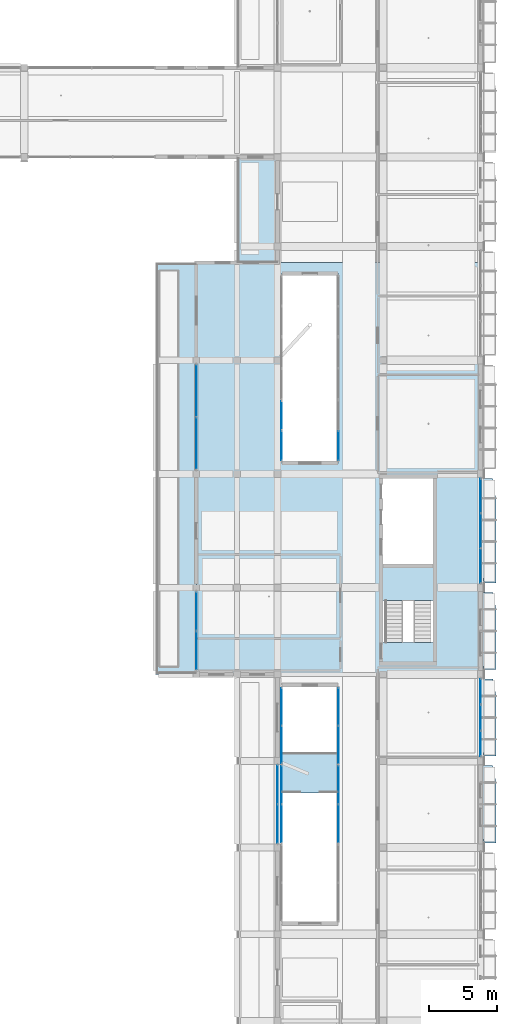
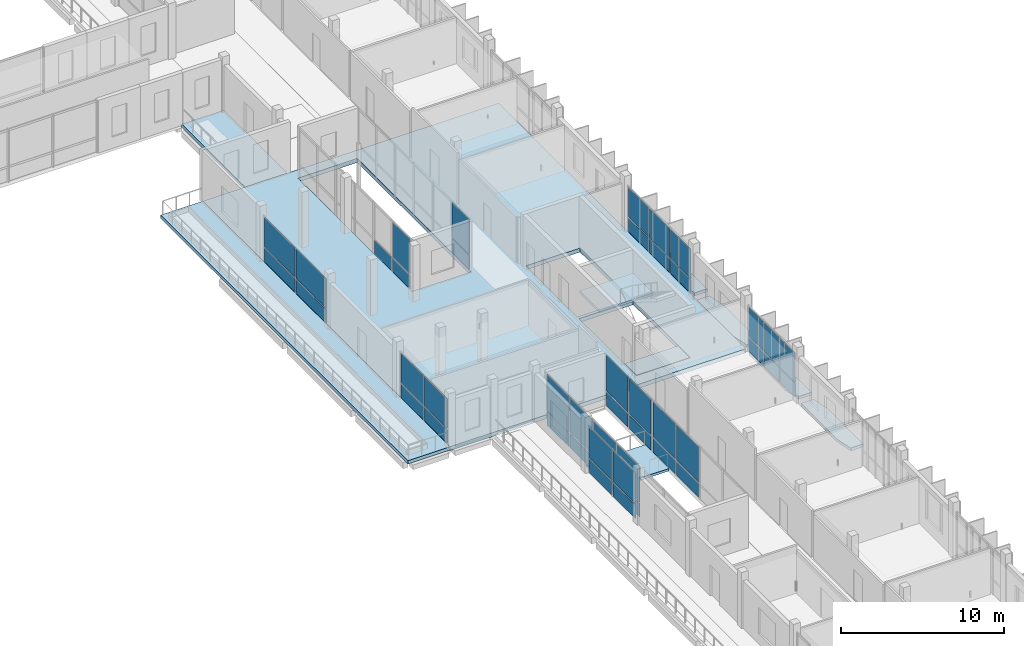
# One storey, part 35 of 85: 45 plates, 10 slabs, 12 elements without a shape of their own.
"""IFC4 building model written with IfcOpenShell, lengths in metres."""

from ifc_helpers import new_model, si_unit, derived_unit, direction, frame, origin, origin_2d, place, context, subcontext, project, spatial, polyline, rectangle, outline, extrude, material, layer, layer_set, type_object, element, aggregate, save


model = new_model("IFC4")

# Units and contexts
model_context = context("Model", 3, precision=1e-05, world=origin(), true_north=direction((0.0, 1.0)))
body_context = subcontext(model_context, "Body", "Model", "MODEL_VIEW")
ifc_project = project(units=[si_unit("LENGTHUNIT", "METRE"), si_unit("AREAUNIT", "SQUARE_METRE"), si_unit("VOLUMEUNIT", "CUBIC_METRE"), si_unit("PLANEANGLEUNIT", "RADIAN"), si_unit("MASSUNIT", "GRAM", prefix="KILO"), derived_unit("THERMALTRANSMITTANCEUNIT", [(si_unit("POWERUNIT", "WATT"), 1), (si_unit("LENGTHUNIT", "METRE"), -2), (si_unit("THERMODYNAMICTEMPERATUREUNIT", "KELVIN"), -1)])], contexts=[model_context])

# Site, building, storey
site_placement = place(None, origin())
site = spatial("IfcSite", under=ifc_project, at=site_placement, CompositionType="ELEMENT")
building_placement = place(site_placement, origin())
building = spatial("IfcBuilding", under=site, at=building_placement, Name="Braskholm Square Health Centre", CompositionType="ELEMENT")
storey_placement = place(building_placement, frame((0.0, 0.0, 9.300048828125)))
storey = spatial("IfcBuildingStorey", under=building, at=storey_placement, Name="L03", CompositionType="ELEMENT", Elevation=9.300048828125)

# Curtain wall, plates
ifc_material_1 = material(Name="Low-E triple insulating glass (VLT 0.64)", Category="glass")
curtain_wall_type_1 = type_object("IfcCurtainWallType", Name="UnitisedCurtainWall6200x3650", PredefinedType="NOTDEFINED", material=ifc_material_1)
curtain_wall_1_placement = place(storey_placement, origin())
curtain_wall_1 = element("IfcCurtainWall", 1, at=curtain_wall_1_placement, inside=storey, type_object=curtain_wall_type_1, Name="East Outer unitised curtain wall CW-L03-0063", PredefinedType="NOTDEFINED")
ifc_material_2 = material(Name="Architectural bronze anodised aluminium", Category="aluminium")
plate_type_1 = type_object("IfcPlateType", Name="CurtainPanelSpandrel1850x1020", PredefinedType="CURTAIN_PANEL", material=ifc_material_2)
plate_1_placement = place(storey_placement, frame((163.800048828125, 43.860107421875, 0.050048828125), z_axis=(0.0, 0.0, 1.0), x_axis=(0.0, 1.0, 0.0)))
plate_1 = element("IfcPlate", 2, at=plate_1_placement, type_object=plate_type_1, Name="CW-L03-0063 spandrel panel 1", PredefinedType="CURTAIN_PANEL", context=body_context, shape_type="SweptSolid", body=[
    extrude(rectangle(XDim=1.823486328125, YDim=0.035888671875, at=origin_2d()), origin(), (0.0, 0.0, 1.0), 1.02001953125),
])
plate_2_placement = place(storey_placement, frame((163.800048828125, 45.800048828125, 0.050048828125), z_axis=(0.0, 0.0, 1.0), x_axis=(0.0, 1.0, 0.0)))
plate_2 = element("IfcPlate", 3, at=plate_2_placement, type_object=plate_type_1, Name="CW-L03-0063 spandrel panel 2", PredefinedType="CURTAIN_PANEL", context=body_context, shape_type="SweptSolid", body=[
    extrude(rectangle(XDim=1.823486328125, YDim=0.035888671875, at=origin_2d()), origin(), (0.0, 0.0, 1.0), 1.02001953125),
])
plate_3_placement = place(storey_placement, frame((163.800048828125, 47.739990234375, 0.050048828125), z_axis=(0.0, 0.0, 1.0), x_axis=(0.0, 1.0, 0.0)))
plate_3 = element("IfcPlate", 4, at=plate_3_placement, type_object=plate_type_1, Name="CW-L03-0063 spandrel panel 3", PredefinedType="CURTAIN_PANEL", context=body_context, shape_type="SweptSolid", body=[
    extrude(rectangle(XDim=1.823486328125, YDim=0.035888671875, at=origin_2d()), origin(), (0.0, 0.0, 1.0), 1.02001953125),
])

curtain_wall_type_2 = type_object("IfcCurtainWallType", Name="UnitisedCurtainWall4800x3800", PredefinedType="NOTDEFINED", material=ifc_material_1)
curtain_wall_2_placement = place(storey_placement, origin())
curtain_wall_2 = element("IfcCurtainWall", 5, at=curtain_wall_2_placement, inside=storey, type_object=curtain_wall_type_2, Name="EC2 Court W unitised curtain wall CW-L03-0363", PredefinedType="NOTDEFINED")
plate_type_2 = type_object("IfcPlateType", Name="CurtainPanelSpandrel2150x1020", PredefinedType="CURTAIN_PANEL", material=ifc_material_2)
plate_4_placement = place(storey_placement, frame((149.10009765625, 65.884033203125, 0.050048828125), z_axis=(0.0, 0.0, 1.0), x_axis=(0.0, 1.0, 0.0)))
plate_4 = element("IfcPlate", 6, at=plate_4_placement, type_object=plate_type_2, Name="CW-L03-0363 spandrel panel 1", PredefinedType="CURTAIN_PANEL", context=body_context, shape_type="SweptSolid", body=[
    extrude(rectangle(XDim=2.125244140625, YDim=0.035888671875, at=origin_2d()), origin(), (0.0, 0.0, 1.0), 1.02001953125),
])
plate_5_placement = place(storey_placement, frame((149.10009765625, 68.117919921875, 0.050048828125), z_axis=(0.0, 0.0, 1.0), x_axis=(0.0, 1.0, 0.0)))
plate_5 = element("IfcPlate", 7, at=plate_5_placement, type_object=plate_type_2, Name="CW-L03-0363 spandrel panel 2", PredefinedType="CURTAIN_PANEL", context=body_context, shape_type="SweptSolid", body=[
    extrude(rectangle(XDim=2.125244140625, YDim=0.035888671875, at=origin_2d()), origin(), (0.0, 0.0, 1.0), 1.02001953125),
])

# Curtain wall, plate
curtain_wall_3_placement = place(storey_placement, origin())
curtain_wall_3 = element("IfcCurtainWall", 8, at=curtain_wall_3_placement, inside=storey, type_object=curtain_wall_type_2, Name="EC2 Court E unitised curtain wall CW-L03-0364", PredefinedType="NOTDEFINED")
plate_6_placement = place(storey_placement, frame((153.300048828125, 65.884033203125, 0.050048828125), z_axis=(0.0, 0.0, 1.0), x_axis=(0.0, -1.0, 0.0)))
plate_6 = element("IfcPlate", 9, at=plate_6_placement, type_object=plate_type_2, Name="CW-L03-0364 spandrel panel 2", PredefinedType="CURTAIN_PANEL", context=body_context, shape_type="SweptSolid", body=[
    extrude(rectangle(XDim=2.125244140625, YDim=0.035888671875, at=origin_2d()), origin(), (0.0, 0.0, 1.0), 1.02001953125),
])

# Curtain wall, plates
curtain_wall_4_placement = place(storey_placement, origin())
curtain_wall_4 = element("IfcCurtainWall", 10, at=curtain_wall_4_placement, inside=storey, type_object=curtain_wall_type_1, Name="East Outer unitised curtain wall CW-L03-0064", PredefinedType="NOTDEFINED")
plate_type_3 = type_object("IfcPlateType", Name="CurtainPanelSpandrel2750x1020", PredefinedType="CURTAIN_PANEL", material=ifc_material_2)
plate_7_placement = place(storey_placement, frame((163.800048828125, 56.993408203125, 0.050048828125), z_axis=(0.0, 0.0, 1.0), x_axis=(0.0, 1.0, 0.0)))
plate_7 = element("IfcPlate", 11, at=plate_7_placement, type_object=plate_type_3, Name="CW-L03-0064 spandrel panel 1", PredefinedType="CURTAIN_PANEL", context=body_context, shape_type="SweptSolid", body=[
    extrude(rectangle(XDim=2.4501953125, YDim=0.035888671875, at=origin_2d()), origin(), (0.0, 0.0, 1.0), 1.02001953125),
])
plate_8_placement = place(storey_placement, frame((163.800048828125, 59.60009765625, 0.050048828125), z_axis=(0.0, 0.0, 1.0), x_axis=(0.0, 1.0, 0.0)))
plate_8 = element("IfcPlate", 12, at=plate_8_placement, type_object=plate_type_3, Name="CW-L03-0064 spandrel panel 2", PredefinedType="CURTAIN_PANEL", context=body_context, shape_type="SweptSolid", body=[
    extrude(rectangle(XDim=2.4501953125, YDim=0.035888671875, at=origin_2d()), origin(), (0.0, 0.0, 1.0), 1.02001953125),
])
plate_9_placement = place(storey_placement, frame((163.800048828125, 62.206787109375, 0.050048828125), z_axis=(0.0, 0.0, 1.0), x_axis=(0.0, 1.0, 0.0)))
plate_9 = element("IfcPlate", 13, at=plate_9_placement, type_object=plate_type_3, Name="CW-L03-0064 spandrel panel 3", PredefinedType="CURTAIN_PANEL", context=body_context, shape_type="SweptSolid", body=[
    extrude(rectangle(XDim=2.4501953125, YDim=0.035888671875, at=origin_2d()), origin(), (0.0, 0.0, 1.0), 1.02001953125),
])

curtain_wall_5_placement = place(storey_placement, origin())
curtain_wall_5 = element("IfcCurtainWall", 14, at=curtain_wall_5_placement, inside=storey, type_object=curtain_wall_type_1, Name="East Valley unitised curtain wall CW-L03-0124", PredefinedType="NOTDEFINED")
plate_10_placement = place(storey_placement, frame((148.800048828125, 40.852294921875, 0.050048828125), z_axis=(0.0, 0.0, 1.0), x_axis=(0.0, -1.0, 0.0)))
plate_10 = element("IfcPlate", 15, at=plate_10_placement, type_object=plate_type_3, Name="CW-L03-0124 spandrel panel 1", PredefinedType="CURTAIN_PANEL", context=body_context, shape_type="SweptSolid", body=[
    extrude(rectangle(XDim=2.763671875, YDim=0.035888671875, at=origin_2d()), origin(), (0.0, 0.0, 1.0), 1.02001953125),
])
plate_11_placement = place(storey_placement, frame((148.800048828125, 37.947509765625, 0.050048828125), z_axis=(0.0, 0.0, 1.0), x_axis=(0.0, -1.0, 0.0)))
plate_11 = element("IfcPlate", 16, at=plate_11_placement, type_object=plate_type_3, Name="CW-L03-0124 spandrel panel 2", PredefinedType="CURTAIN_PANEL", context=body_context, shape_type="SweptSolid", body=[
    extrude(rectangle(XDim=2.763671875, YDim=0.035888671875, at=origin_2d()), origin(), (0.0, 0.0, 1.0), 1.02001953125),
])

curtain_wall_6_placement = place(storey_placement, origin())
curtain_wall_6 = element("IfcCurtainWall", 17, at=curtain_wall_6_placement, inside=storey, type_object=curtain_wall_type_1, Name="East Valley unitised curtain wall CW-L03-0125", PredefinedType="NOTDEFINED")
plate_12_placement = place(storey_placement, frame((142.800048828125, 53.65234375, 0.050048828125), z_axis=(0.0, 0.0, 1.0), x_axis=(0.0, -1.0, 0.0)))
plate_12 = element("IfcPlate", 18, at=plate_12_placement, type_object=plate_type_3, Name="CW-L03-0125 spandrel panel 1", PredefinedType="CURTAIN_PANEL", context=body_context, shape_type="SweptSolid", body=[
    extrude(rectangle(XDim=2.763671875, YDim=0.035888671875, at=origin_2d()), origin(), (0.0, 0.0, 1.0), 1.02001953125),
])
plate_13_placement = place(storey_placement, frame((142.800048828125, 50.74755859375, 0.050048828125), z_axis=(0.0, 0.0, 1.0), x_axis=(0.0, -1.0, 0.0)))
plate_13 = element("IfcPlate", 19, at=plate_13_placement, type_object=plate_type_3, Name="CW-L03-0125 spandrel panel 2", PredefinedType="CURTAIN_PANEL", context=body_context, shape_type="SweptSolid", body=[
    extrude(rectangle(XDim=2.763671875, YDim=0.035888671875, at=origin_2d()), origin(), (0.0, 0.0, 1.0), 1.02001953125),
])

curtain_wall_type_3 = type_object("IfcCurtainWallType", Name="UnitisedCurtainWall6200x4100", PredefinedType="NOTDEFINED", material=ifc_material_1)
curtain_wall_7_placement = place(storey_placement, origin())
curtain_wall_7 = element("IfcCurtainWall", 20, at=curtain_wall_7_placement, inside=storey, type_object=curtain_wall_type_3, Name="EC1 Court W unitised curtain wall CW-L03-0335", PredefinedType="NOTDEFINED")
plate_14_placement = place(storey_placement, frame((149.10009765625, 37.95361328125, 0.050048828125), z_axis=(0.0, 0.0, 1.0), x_axis=(0.0, 1.0, 0.0)))
plate_14 = element("IfcPlate", 21, at=plate_14_placement, type_object=plate_type_3, Name="CW-L03-0335 spandrel panel 1", PredefinedType="CURTAIN_PANEL", context=body_context, shape_type="SweptSolid", body=[
    extrude(rectangle(XDim=2.752197265625, YDim=0.035888671875, at=origin_2d()), origin(), (0.0, 0.0, 1.0), 1.02001953125),
])
plate_15_placement = place(storey_placement, frame((149.10009765625, 40.846435546875, 0.050048828125), z_axis=(0.0, 0.0, 1.0), x_axis=(0.0, 1.0, 0.0)))
plate_15 = element("IfcPlate", 22, at=plate_15_placement, type_object=plate_type_3, Name="CW-L03-0335 spandrel panel 2", PredefinedType="CURTAIN_PANEL", context=body_context, shape_type="SweptSolid", body=[
    extrude(rectangle(XDim=2.752197265625, YDim=0.035888671875, at=origin_2d()), origin(), (0.0, 0.0, 1.0), 1.02001953125),
])

curtain_wall_8_placement = place(storey_placement, origin())
curtain_wall_8 = element("IfcCurtainWall", 23, at=curtain_wall_8_placement, inside=storey, type_object=curtain_wall_type_3, Name="EC1 Court E unitised curtain wall CW-L03-0336", PredefinedType="NOTDEFINED")
plate_16_placement = place(storey_placement, frame((153.300048828125, 40.846435546875, 0.050048828125), z_axis=(0.0, 0.0, 1.0), x_axis=(0.0, -1.0, 0.0)))
plate_16 = element("IfcPlate", 24, at=plate_16_placement, type_object=plate_type_3, Name="CW-L03-0336 spandrel panel 1", PredefinedType="CURTAIN_PANEL", context=body_context, shape_type="SweptSolid", body=[
    extrude(rectangle(XDim=2.752197265625, YDim=0.035888671875, at=origin_2d()), origin(), (0.0, 0.0, 1.0), 1.02001953125),
])
plate_17_placement = place(storey_placement, frame((153.300048828125, 37.95361328125, 0.050048828125), z_axis=(0.0, 0.0, 1.0), x_axis=(0.0, -1.0, 0.0)))
plate_17 = element("IfcPlate", 25, at=plate_17_placement, type_object=plate_type_3, Name="CW-L03-0336 spandrel panel 2", PredefinedType="CURTAIN_PANEL", context=body_context, shape_type="SweptSolid", body=[
    extrude(rectangle(XDim=2.752197265625, YDim=0.035888671875, at=origin_2d()), origin(), (0.0, 0.0, 1.0), 1.02001953125),
])

curtain_wall_type_4 = type_object("IfcCurtainWallType", Name="UnitisedCurtainWall5400x4100", PredefinedType="NOTDEFINED", material=ifc_material_1)
curtain_wall_9_placement = place(storey_placement, origin())
curtain_wall_9 = element("IfcCurtainWall", 26, at=curtain_wall_9_placement, inside=storey, type_object=curtain_wall_type_4, Name="EC1 Court W unitised curtain wall CW-L03-0337", PredefinedType="NOTDEFINED")
plate_18_placement = place(storey_placement, frame((149.10009765625, 43.78564453125, 0.050048828125), z_axis=(0.0, 0.0, 1.0), x_axis=(0.0, 1.0, 0.0)))
plate_18 = element("IfcPlate", 27, at=plate_18_placement, type_object=plate_type_3, Name="CW-L03-0337 spandrel panel 1", PredefinedType="CURTAIN_PANEL", context=body_context, shape_type="SweptSolid", body=[
    extrude(rectangle(XDim=2.689208984375, YDim=0.035888671875, at=origin_2d()), origin(), (0.0, 0.0, 1.0), 1.02001953125),
])
plate_19_placement = place(storey_placement, frame((149.10009765625, 46.6123046875, 0.050048828125), z_axis=(0.0, 0.0, 1.0), x_axis=(0.0, 1.0, 0.0)))
plate_19 = element("IfcPlate", 28, at=plate_19_placement, type_object=plate_type_3, Name="CW-L03-0337 spandrel panel 2", PredefinedType="CURTAIN_PANEL", context=body_context, shape_type="SweptSolid", body=[
    extrude(rectangle(XDim=2.689208984375, YDim=0.035888671875, at=origin_2d()), origin(), (0.0, 0.0, 1.0), 1.02001953125),
])

curtain_wall_10_placement = place(storey_placement, origin())
curtain_wall_10 = element("IfcCurtainWall", 29, at=curtain_wall_10_placement, inside=storey, type_object=curtain_wall_type_4, Name="EC1 Court E unitised curtain wall CW-L03-0338", PredefinedType="NOTDEFINED")
plate_20_placement = place(storey_placement, frame((153.300048828125, 46.6123046875, 0.050048828125), z_axis=(0.0, 0.0, 1.0), x_axis=(0.0, -1.0, 0.0)))
plate_20 = element("IfcPlate", 30, at=plate_20_placement, type_object=plate_type_3, Name="CW-L03-0338 spandrel panel 1", PredefinedType="CURTAIN_PANEL", context=body_context, shape_type="SweptSolid", body=[
    extrude(rectangle(XDim=2.689208984375, YDim=0.035888671875, at=origin_2d()), origin(), (0.0, 0.0, 1.0), 1.02001953125),
])
plate_21_placement = place(storey_placement, frame((153.300048828125, 43.78564453125, 0.050048828125), z_axis=(0.0, 0.0, 1.0), x_axis=(0.0, -1.0, 0.0)))
plate_21 = element("IfcPlate", 31, at=plate_21_placement, type_object=plate_type_3, Name="CW-L03-0338 spandrel panel 2", PredefinedType="CURTAIN_PANEL", context=body_context, shape_type="SweptSolid", body=[
    extrude(rectangle(XDim=2.689208984375, YDim=0.035888671875, at=origin_2d()), origin(), (0.0, 0.0, 1.0), 1.02001953125),
])

curtain_wall_11_placement = place(storey_placement, origin())
curtain_wall_11 = element("IfcCurtainWall", 32, at=curtain_wall_11_placement, inside=storey, type_object=curtain_wall_type_1, Name="East Valley unitised curtain wall CW-L03-0126", PredefinedType="NOTDEFINED")
plate_type_4 = type_object("IfcPlateType", Name="CurtainPanelSpandrel3150x1020", PredefinedType="CURTAIN_PANEL", material=ifc_material_2)
plate_22_placement = place(storey_placement, frame((142.800048828125, 69.9462890625, 0.050048828125), z_axis=(0.0, 0.0, 1.0), x_axis=(0.0, -1.0, 0.0)))
plate_22 = element("IfcPlate", 33, at=plate_22_placement, type_object=plate_type_4, Name="CW-L03-0126 spandrel panel 1", PredefinedType="CURTAIN_PANEL", context=body_context, shape_type="SweptSolid", body=[
    extrude(rectangle(XDim=3.70361328125, YDim=0.035888671875, at=origin_2d()), origin(), (0.0, 0.0, 1.0), 1.02001953125),
])
plate_23_placement = place(storey_placement, frame((142.800048828125, 66.0537109375, 0.050048828125), z_axis=(0.0, 0.0, 1.0), x_axis=(0.0, -1.0, 0.0)))
plate_23 = element("IfcPlate", 34, at=plate_23_placement, type_object=plate_type_4, Name="CW-L03-0126 spandrel panel 2", PredefinedType="CURTAIN_PANEL", context=body_context, shape_type="SweptSolid", body=[
    extrude(rectangle(XDim=3.70361328125, YDim=0.035888671875, at=origin_2d()), origin(), (0.0, 0.0, 1.0), 1.02001953125),
])

# Plate
plate_type_5 = type_object("IfcPlateType", Name="CurtainPanelVision1850x2120", PredefinedType="CURTAIN_PANEL", material=ifc_material_1)
plate_24_placement = place(storey_placement, frame((163.800048828125, 43.860107421875, 1.169921875), z_axis=(0.0, 0.0, 1.0), x_axis=(0.0, 1.0, 0.0)))
plate_24 = element("IfcPlate", 35, at=plate_24_placement, type_object=plate_type_5, Name="CW-L03-0063 vision glass panel 1", PredefinedType="CURTAIN_PANEL", context=body_context, shape_type="SweptSolid", body=[
    extrude(rectangle(XDim=1.823486328125, YDim=0.035888671875, at=origin_2d()), origin(), (0.0, 0.0, 1.0), 2.199951171875),
])

plate_25_placement = place(storey_placement, frame((163.800048828125, 45.800048828125, 1.169921875), z_axis=(0.0, 0.0, 1.0), x_axis=(0.0, 1.0, 0.0)))
plate_25 = element("IfcPlate", 36, at=plate_25_placement, type_object=plate_type_5, Name="CW-L03-0063 vision glass panel 2", PredefinedType="CURTAIN_PANEL", context=body_context, shape_type="SweptSolid", body=[
    extrude(rectangle(XDim=1.823486328125, YDim=0.035888671875, at=origin_2d()), origin(), (0.0, 0.0, 1.0), 2.199951171875),
])

plate_26_placement = place(storey_placement, frame((163.800048828125, 47.739990234375, 1.169921875), z_axis=(0.0, 0.0, 1.0), x_axis=(0.0, 1.0, 0.0)))
plate_26 = element("IfcPlate", 37, at=plate_26_placement, type_object=plate_type_5, Name="CW-L03-0063 vision glass panel 3", PredefinedType="CURTAIN_PANEL", context=body_context, shape_type="SweptSolid", body=[
    extrude(rectangle(XDim=1.823486328125, YDim=0.035888671875, at=origin_2d()), origin(), (0.0, 0.0, 1.0), 2.199951171875),
])

aggregate(curtain_wall_1, [plate_1, plate_24, plate_2, plate_25, plate_3, plate_26])

plate_type_6 = type_object("IfcPlateType", Name="CurtainPanelVision2150x2520", PredefinedType="CURTAIN_PANEL", material=ifc_material_1)
plate_27_placement = place(storey_placement, frame((149.10009765625, 65.884033203125, 1.169921875), z_axis=(0.0, 0.0, 1.0), x_axis=(0.0, 1.0, 0.0)))
plate_27 = element("IfcPlate", 38, at=plate_27_placement, type_object=plate_type_6, Name="CW-L03-0363 vision glass panel 1", PredefinedType="CURTAIN_PANEL", context=body_context, shape_type="SweptSolid", body=[
    extrude(rectangle(XDim=2.125244140625, YDim=0.035888671875, at=origin_2d()), origin(), (0.0, 0.0, 1.0), 2.6201171875),
])

aggregate(curtain_wall_2, [plate_4, plate_27, plate_5])

plate_28_placement = place(storey_placement, frame((153.300048828125, 65.884033203125, 1.169921875), z_axis=(0.0, 0.0, 1.0), x_axis=(0.0, -1.0, 0.0)))
plate_28 = element("IfcPlate", 39, at=plate_28_placement, type_object=plate_type_6, Name="CW-L03-0364 vision glass panel 2", PredefinedType="CURTAIN_PANEL", context=body_context, shape_type="SweptSolid", body=[
    extrude(rectangle(XDim=2.125244140625, YDim=0.035888671875, at=origin_2d()), origin(), (0.0, 0.0, 1.0), 2.6201171875),
])

aggregate(curtain_wall_3, [plate_6, plate_28])

plate_type_7 = type_object("IfcPlateType", Name="CurtainPanelVision2750x2120", PredefinedType="CURTAIN_PANEL", material=ifc_material_1)
plate_29_placement = place(storey_placement, frame((163.800048828125, 56.993408203125, 1.169921875), z_axis=(0.0, 0.0, 1.0), x_axis=(0.0, 1.0, 0.0)))
plate_29 = element("IfcPlate", 40, at=plate_29_placement, type_object=plate_type_7, Name="CW-L03-0064 vision glass panel 1", PredefinedType="CURTAIN_PANEL", context=body_context, shape_type="SweptSolid", body=[
    extrude(rectangle(XDim=2.4501953125, YDim=0.035888671875, at=origin_2d()), origin(), (0.0, 0.0, 1.0), 2.199951171875),
])

plate_30_placement = place(storey_placement, frame((163.800048828125, 59.60009765625, 1.169921875), z_axis=(0.0, 0.0, 1.0), x_axis=(0.0, 1.0, 0.0)))
plate_30 = element("IfcPlate", 41, at=plate_30_placement, type_object=plate_type_7, Name="CW-L03-0064 vision glass panel 2", PredefinedType="CURTAIN_PANEL", context=body_context, shape_type="SweptSolid", body=[
    extrude(rectangle(XDim=2.4501953125, YDim=0.035888671875, at=origin_2d()), origin(), (0.0, 0.0, 1.0), 2.199951171875),
])

plate_31_placement = place(storey_placement, frame((163.800048828125, 62.206787109375, 1.169921875), z_axis=(0.0, 0.0, 1.0), x_axis=(0.0, 1.0, 0.0)))
plate_31 = element("IfcPlate", 42, at=plate_31_placement, type_object=plate_type_7, Name="CW-L03-0064 vision glass panel 3", PredefinedType="CURTAIN_PANEL", context=body_context, shape_type="SweptSolid", body=[
    extrude(rectangle(XDim=2.4501953125, YDim=0.035888671875, at=origin_2d()), origin(), (0.0, 0.0, 1.0), 2.199951171875),
])

aggregate(curtain_wall_4, [plate_7, plate_29, plate_8, plate_30, plate_9, plate_31])

plate_32_placement = place(storey_placement, frame((148.800048828125, 40.852294921875, 1.169921875), z_axis=(0.0, 0.0, 1.0), x_axis=(0.0, -1.0, 0.0)))
plate_32 = element("IfcPlate", 43, at=plate_32_placement, type_object=plate_type_7, Name="CW-L03-0124 vision glass panel 1", PredefinedType="CURTAIN_PANEL", context=body_context, shape_type="SweptSolid", body=[
    extrude(rectangle(XDim=2.763671875, YDim=0.035888671875, at=origin_2d()), origin(), (0.0, 0.0, 1.0), 2.2900390625),
])

plate_33_placement = place(storey_placement, frame((148.800048828125, 37.947509765625, 1.169921875), z_axis=(0.0, 0.0, 1.0), x_axis=(0.0, -1.0, 0.0)))
plate_33 = element("IfcPlate", 44, at=plate_33_placement, type_object=plate_type_7, Name="CW-L03-0124 vision glass panel 2", PredefinedType="CURTAIN_PANEL", context=body_context, shape_type="SweptSolid", body=[
    extrude(rectangle(XDim=2.763671875, YDim=0.035888671875, at=origin_2d()), origin(), (0.0, 0.0, 1.0), 2.2900390625),
])

aggregate(curtain_wall_5, [plate_10, plate_32, plate_11, plate_33])

plate_34_placement = place(storey_placement, frame((142.800048828125, 53.65234375, 1.169921875), z_axis=(0.0, 0.0, 1.0), x_axis=(0.0, -1.0, 0.0)))
plate_34 = element("IfcPlate", 45, at=plate_34_placement, type_object=plate_type_7, Name="CW-L03-0125 vision glass panel 1", PredefinedType="CURTAIN_PANEL", context=body_context, shape_type="SweptSolid", body=[
    extrude(rectangle(XDim=2.763671875, YDim=0.035888671875, at=origin_2d()), origin(), (0.0, 0.0, 1.0), 2.2099609375),
])

plate_35_placement = place(storey_placement, frame((142.800048828125, 50.74755859375, 1.169921875), z_axis=(0.0, 0.0, 1.0), x_axis=(0.0, -1.0, 0.0)))
plate_35 = element("IfcPlate", 46, at=plate_35_placement, type_object=plate_type_7, Name="CW-L03-0125 vision glass panel 2", PredefinedType="CURTAIN_PANEL", context=body_context, shape_type="SweptSolid", body=[
    extrude(rectangle(XDim=2.763671875, YDim=0.035888671875, at=origin_2d()), origin(), (0.0, 0.0, 1.0), 2.2099609375),
])

aggregate(curtain_wall_6, [plate_12, plate_34, plate_13, plate_35])

plate_type_8 = type_object("IfcPlateType", Name="CurtainPanelVision2750x2520", PredefinedType="CURTAIN_PANEL", material=ifc_material_1)
plate_36_placement = place(storey_placement, frame((149.10009765625, 37.95361328125, 1.169921875), z_axis=(0.0, 0.0, 1.0), x_axis=(0.0, 1.0, 0.0)))
plate_36 = element("IfcPlate", 47, at=plate_36_placement, type_object=plate_type_8, Name="CW-L03-0335 vision glass panel 1", PredefinedType="CURTAIN_PANEL", context=body_context, shape_type="SweptSolid", body=[
    extrude(rectangle(XDim=2.752197265625, YDim=0.035888671875, at=origin_2d()), origin(), (0.0, 0.0, 1.0), 2.669921875),
])

plate_37_placement = place(storey_placement, frame((149.10009765625, 40.846435546875, 1.169921875), z_axis=(0.0, 0.0, 1.0), x_axis=(0.0, 1.0, 0.0)))
plate_37 = element("IfcPlate", 48, at=plate_37_placement, type_object=plate_type_8, Name="CW-L03-0335 vision glass panel 2", PredefinedType="CURTAIN_PANEL", context=body_context, shape_type="SweptSolid", body=[
    extrude(rectangle(XDim=2.752197265625, YDim=0.035888671875, at=origin_2d()), origin(), (0.0, 0.0, 1.0), 2.669921875),
])

aggregate(curtain_wall_7, [plate_14, plate_36, plate_15, plate_37])

plate_38_placement = place(storey_placement, frame((153.300048828125, 40.846435546875, 1.169921875), z_axis=(0.0, 0.0, 1.0), x_axis=(0.0, -1.0, 0.0)))
plate_38 = element("IfcPlate", 49, at=plate_38_placement, type_object=plate_type_8, Name="CW-L03-0336 vision glass panel 1", PredefinedType="CURTAIN_PANEL", context=body_context, shape_type="SweptSolid", body=[
    extrude(rectangle(XDim=2.752197265625, YDim=0.035888671875, at=origin_2d()), origin(), (0.0, 0.0, 1.0), 2.669921875),
])

plate_39_placement = place(storey_placement, frame((153.300048828125, 37.95361328125, 1.169921875), z_axis=(0.0, 0.0, 1.0), x_axis=(0.0, -1.0, 0.0)))
plate_39 = element("IfcPlate", 50, at=plate_39_placement, type_object=plate_type_8, Name="CW-L03-0336 vision glass panel 2", PredefinedType="CURTAIN_PANEL", context=body_context, shape_type="SweptSolid", body=[
    extrude(rectangle(XDim=2.752197265625, YDim=0.035888671875, at=origin_2d()), origin(), (0.0, 0.0, 1.0), 2.669921875),
])

aggregate(curtain_wall_8, [plate_16, plate_38, plate_17, plate_39])

plate_40_placement = place(storey_placement, frame((149.10009765625, 43.78564453125, 1.169921875), z_axis=(0.0, 0.0, 1.0), x_axis=(0.0, 1.0, 0.0)))
plate_40 = element("IfcPlate", 51, at=plate_40_placement, type_object=plate_type_8, Name="CW-L03-0337 vision glass panel 1", PredefinedType="CURTAIN_PANEL", context=body_context, shape_type="SweptSolid", body=[
    extrude(rectangle(XDim=2.689208984375, YDim=0.035888671875, at=origin_2d()), origin(), (0.0, 0.0, 1.0), 2.669921875),
])

plate_41_placement = place(storey_placement, frame((149.10009765625, 46.6123046875, 1.169921875), z_axis=(0.0, 0.0, 1.0), x_axis=(0.0, 1.0, 0.0)))
plate_41 = element("IfcPlate", 52, at=plate_41_placement, type_object=plate_type_8, Name="CW-L03-0337 vision glass panel 2", PredefinedType="CURTAIN_PANEL", context=body_context, shape_type="SweptSolid", body=[
    extrude(rectangle(XDim=2.689208984375, YDim=0.035888671875, at=origin_2d()), origin(), (0.0, 0.0, 1.0), 2.669921875),
])

aggregate(curtain_wall_9, [plate_18, plate_40, plate_19, plate_41])

plate_42_placement = place(storey_placement, frame((153.300048828125, 46.6123046875, 1.169921875), z_axis=(0.0, 0.0, 1.0), x_axis=(0.0, -1.0, 0.0)))
plate_42 = element("IfcPlate", 53, at=plate_42_placement, type_object=plate_type_8, Name="CW-L03-0338 vision glass panel 1", PredefinedType="CURTAIN_PANEL", context=body_context, shape_type="SweptSolid", body=[
    extrude(rectangle(XDim=2.689208984375, YDim=0.035888671875, at=origin_2d()), origin(), (0.0, 0.0, 1.0), 2.669921875),
])

plate_43_placement = place(storey_placement, frame((153.300048828125, 43.78564453125, 1.169921875), z_axis=(0.0, 0.0, 1.0), x_axis=(0.0, -1.0, 0.0)))
plate_43 = element("IfcPlate", 54, at=plate_43_placement, type_object=plate_type_8, Name="CW-L03-0338 vision glass panel 2", PredefinedType="CURTAIN_PANEL", context=body_context, shape_type="SweptSolid", body=[
    extrude(rectangle(XDim=2.689208984375, YDim=0.035888671875, at=origin_2d()), origin(), (0.0, 0.0, 1.0), 2.669921875),
])

aggregate(curtain_wall_10, [plate_20, plate_42, plate_21, plate_43])

plate_type_9 = type_object("IfcPlateType", Name="CurtainPanelVision3150x2120", PredefinedType="CURTAIN_PANEL", material=ifc_material_1)
plate_44_placement = place(storey_placement, frame((142.800048828125, 69.9462890625, 1.169921875), z_axis=(0.0, 0.0, 1.0), x_axis=(0.0, -1.0, 0.0)))
plate_44 = element("IfcPlate", 55, at=plate_44_placement, type_object=plate_type_9, Name="CW-L03-0126 vision glass panel 1", PredefinedType="CURTAIN_PANEL", context=body_context, shape_type="SweptSolid", body=[
    extrude(rectangle(XDim=3.70361328125, YDim=0.035888671875, at=origin_2d()), origin(), (0.0, 0.0, 1.0), 2.2099609375),
])

plate_45_placement = place(storey_placement, frame((142.800048828125, 66.0537109375, 1.169921875), z_axis=(0.0, 0.0, 1.0), x_axis=(0.0, -1.0, 0.0)))
plate_45 = element("IfcPlate", 56, at=plate_45_placement, type_object=plate_type_9, Name="CW-L03-0126 vision glass panel 2", PredefinedType="CURTAIN_PANEL", context=body_context, shape_type="SweptSolid", body=[
    extrude(rectangle(XDim=3.70361328125, YDim=0.035888671875, at=origin_2d()), origin(), (0.0, 0.0, 1.0), 2.2099609375),
])

aggregate(curtain_wall_11, [plate_22, plate_44, plate_23, plate_45])

# Slabs
ifc_material_3 = material(Name="Precast concrete C40/50 architectural white", Category="concrete")
ifc_layer_1 = layer(ifc_material_3, 0.2099609375)
ifc_layer_set_1 = layer_set([ifc_layer_1], Name="Precast concrete C40/50 architectural white")
slab_type_1 = type_object("IfcSlabType", Name="PitchedAndCrownRoofSlab150", PredefinedType="ROOF", material=ifc_layer_set_1)
slab_1_placement = place(storey_placement, frame((0.0, 0.0, -0.2099609375)))
element("IfcSlab", 57, at=slab_1_placement, inside=storey, type_object=slab_type_1, Name="Level L03 East precast planter ledge 086", PredefinedType="ROOF", context=body_context, shape_type="SweptSolid", body=[
    extrude(outline(polyline([(164.052978515625, 36.550048828125), (164.949951171875, 36.550048828125), (164.949951171875, 40.99609375), (164.697021484375, 42.25), (163.800048828125, 42.25), (163.800048828125, 37.803955078125), (164.052978515625, 36.550048828125)])), origin(), (0.0, 0.0, 1.0), 0.2099609375),
])
slab_2_placement = place(storey_placement, frame((0.0, 0.0, -0.2099609375)))
element("IfcSlab", 58, at=slab_2_placement, inside=storey, type_object=slab_type_1, Name="Level L03 East precast planter ledge 087", PredefinedType="ROOF", context=body_context, shape_type="SweptSolid", body=[
    extrude(outline(polyline([(164.052978515625, 42.949951171875), (164.949951171875, 42.949951171875), (164.949951171875, 47.39599609375), (164.697021484375, 48.64990234375), (163.800048828125, 48.64990234375), (163.800048828125, 44.2041015625), (164.052978515625, 42.949951171875)])), origin(), (0.0, 0.0, 1.0), 0.2099609375),
])
slab_3_placement = place(storey_placement, frame((0.0, 0.0, -0.2099609375)))
element("IfcSlab", 59, at=slab_3_placement, inside=storey, type_object=slab_type_1, Name="Level L03 East precast planter ledge 088", PredefinedType="ROOF", context=body_context, shape_type="SweptSolid", body=[
    extrude(outline(polyline([(164.052978515625, 49.35009765625), (164.949951171875, 49.35009765625), (164.949951171875, 53.7958984375), (164.697021484375, 55.050048828125), (163.800048828125, 55.050048828125), (163.800048828125, 50.60400390625), (164.052978515625, 49.35009765625)])), origin(), (0.0, 0.0, 1.0), 0.2099609375),
])
slab_4_placement = place(storey_placement, frame((0.0, 0.0, -0.2099609375)))
element("IfcSlab", 60, at=slab_4_placement, inside=storey, type_object=slab_type_1, Name="Level L03 East precast planter ledge 089", PredefinedType="ROOF", context=body_context, shape_type="SweptSolid", body=[
    extrude(outline(polyline([(164.052978515625, 55.75), (164.949951171875, 55.75), (164.949951171875, 61.756103515625), (164.697021484375, 63.449951171875), (163.800048828125, 63.449951171875), (163.800048828125, 57.444091796875), (164.052978515625, 55.75)])), origin(), (0.0, 0.0, 1.0), 0.2099609375),
])
ifc_material_4 = material(Name="Concrete C35/45 (f'c = 35 MPa)", Category="concrete")
ifc_layer_2 = layer(ifc_material_4, 0.25)
ifc_layer_set_2 = layer_set([ifc_layer_2], Name="Concrete C35/45 (f'c = 35 MPa)")
slab_type_2 = type_object("IfcSlabType", Name="PlantedTerraceRoofSlab250", PredefinedType="ROOF", material=ifc_layer_set_2)
slab_5_placement = place(storey_placement, frame((0.0, 0.0, -0.25)))
element("IfcSlab", 61, at=slab_5_placement, inside=storey, type_object=slab_type_2, Name="Level L03 East Green Valley Step 1 planted therapy terrace slab", PredefinedType="ROOF", context=body_context, shape_type="SweptSolid", body=[
    extrude(outline(polyline([(139.800048828125, 49.0), (142.800048828125, 49.0), (142.800048828125, 79.39990234375), (139.800048828125, 79.39990234375), (139.800048828125, 49.0)])), origin(), (0.0, 0.0, 1.0), 0.25),
])
slab_6_placement = place(storey_placement, frame((0.0, 0.0, -0.25)))
element("IfcSlab", 62, at=slab_6_placement, inside=storey, type_object=slab_type_2, Name="Level L03 Northeast Step 1 valley terrace slab", PredefinedType="ROOF", context=body_context, shape_type="SweptSolid", body=[
    extrude(outline(polyline([(145.800048828125, 79.39990234375), (148.800048828125, 79.39990234375), (148.800048828125, 87.199951171875), (145.800048828125, 87.199951171875), (145.800048828125, 79.39990234375)])), origin(), (0.0, 0.0, 1.0), 0.25),
])

# Stair, slabs
stair_type = type_object("IfcStairType", Name="ExitReturnStairL03", PredefinedType="HALF_TURN_STAIR", material=ifc_material_4)
stair_placement = place(storey_placement, origin())
stair = element("IfcStair", 63, at=stair_placement, inside=storey, type_object=stair_type, Name="Enclosed exit stair ST-04 L03 to L04", PredefinedType="HALF_TURN_STAIR")
ifc_layer_3 = layer(ifc_material_4, 0.179931640625)
ifc_layer_set_3 = layer_set([ifc_layer_3], Name="Concrete C35/45 (f'c = 35 MPa)")
slab_type_3 = type_object("IfcSlabType", Name="StairLandingSlab180", PredefinedType="LANDING", material=ifc_layer_set_3)
slab_7_placement = place(storey_placement, frame((0.0, 0.0, 1.919921875)))
slab_7 = element("IfcSlab", 64, at=slab_7_placement, type_object=slab_type_3, Name="Stair ST-04 half-landing L03", PredefinedType="LANDING", context=body_context, shape_type="SweptSolid", body=[
    extrude(outline(polyline([(156.550048828125, 54.43994140625), (160.35009765625, 54.43994140625), (160.35009765625, 56.89990234375), (156.550048828125, 56.89990234375), (156.550048828125, 54.43994140625)])), origin(), (0.0, 0.0, 1.0), 0.179931640625),
])
slab_8_placement = place(storey_placement, frame((0.0, 0.0, -0.179931640625)))
slab_8 = element("IfcSlab", 65, at=slab_8_placement, type_object=slab_type_3, Name="Stair ST-04 floor landing L03", PredefinedType="LANDING", context=body_context, shape_type="SweptSolid", body=[
    extrude(outline(polyline([(156.550048828125, 49.89990234375), (160.35009765625, 49.89990234375), (160.35009765625, 51.360107421875), (156.550048828125, 51.360107421875), (156.550048828125, 49.89990234375)])), origin(), (0.0, 0.0, 1.0), 0.179931640625),
])
aggregate(stair, [slab_7, slab_8])

# Slabs
slab_9_placement = place(storey_placement, frame((0.0, 0.0, -0.179931640625)))
element("IfcSlab", 66, at=slab_9_placement, inside=storey, type_object=slab_type_3, Name="Atrium feature stair landing SLAB-LND-COURT-E1", PredefinedType="LANDING", context=body_context, shape_type="SweptSolid", body=[
    extrude(outline(polyline([(149.10009765625, 40.25), (153.300048828125, 40.25), (153.300048828125, 43.199951171875), (149.10009765625, 43.199951171875), (149.10009765625, 40.25)])), origin(), (0.0, 0.0, 1.0), 0.179931640625),
])
ifc_layer_4 = layer(ifc_material_4, 0.300048828125)
ifc_layer_set_4 = layer_set([ifc_layer_4], Name="Concrete C35/45 (f'c = 35 MPa)")
slab_type_4 = type_object("IfcSlabType", Name="TwoWayClinicalFlatSlab300", PredefinedType="FLOOR", material=ifc_layer_set_4)
slab_10_placement = place(storey_placement, frame((0.0, 0.0, -0.300048828125)))
element("IfcSlab", 67, at=slab_10_placement, inside=storey, type_object=slab_type_4, Name="Level L03 V4E East consulting wing slab", PredefinedType="FLOOR", context=body_context, shape_type="SweptSolid", body=[
    extrude(outline(polyline([(142.800048828125, 49.0), (163.800048828125, 49.0), (163.800048828125, 79.39990234375), (142.800048828125, 79.39990234375), (142.800048828125, 49.0)]), holes=[polyline([(156.530029296875, 49.8798828125), (160.3701171875, 49.8798828125), (160.3701171875, 56.919921875), (156.530029296875, 56.919921875), (156.530029296875, 49.8798828125)]), polyline([(156.530029296875, 57.14990234375), (160.3701171875, 57.14990234375), (160.3701171875, 63.449951171875), (156.530029296875, 63.449951171875), (156.530029296875, 57.14990234375)]), polyline([(149.10009765625, 64.60009765625), (153.300048828125, 64.60009765625), (153.300048828125, 78.60009765625), (149.10009765625, 78.60009765625), (149.10009765625, 64.60009765625)])]), origin(), (0.0, 0.0, 1.0), 0.300048828125),
])

save(model, "model.ifc")
